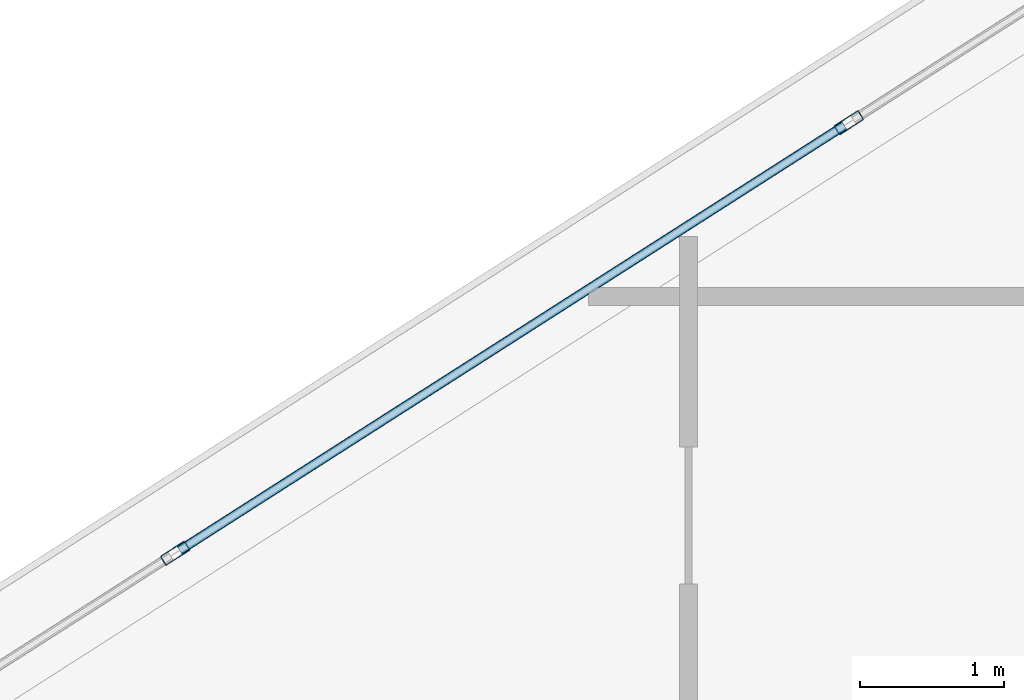
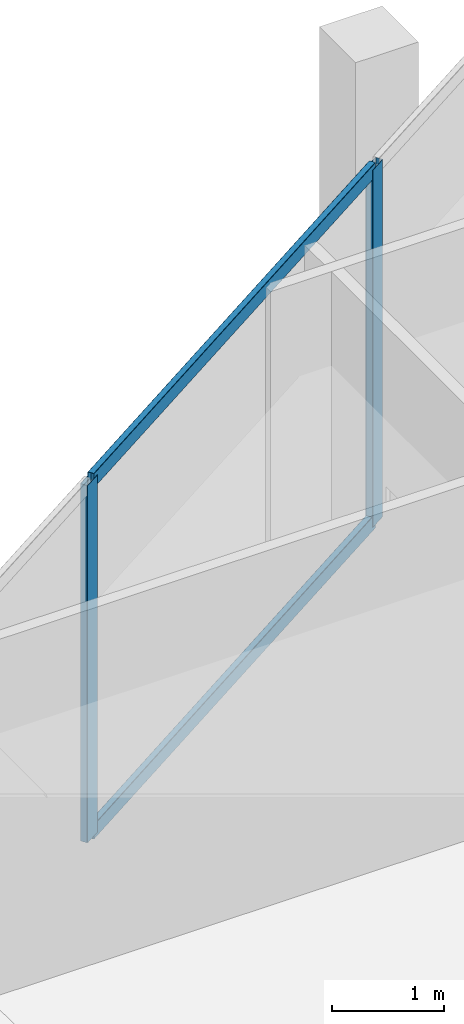
# One storey, part 12 of 29: 4 members, 1 element without a shape of its own.
"""IFC4 building model written with IfcOpenShell, lengths in metres."""

from ifc_helpers import new_model, si_unit, direction, frame, origin, origin_2d, place, context, subcontext, project, spatial, hollow_rectangle, extrude, material, layer, layer_set, material_profile, profile_set, type_object, element, aggregate, save


model = new_model("IFC4")

# Units and contexts
model_context = context("Model", 3, precision=1e-05, world=origin(), true_north=direction((0.0, 1.0)))
body_context = subcontext(model_context, "Body", "Model", "MODEL_VIEW")
ifc_project = project(units=[si_unit("LENGTHUNIT", "METRE"), si_unit("AREAUNIT", "SQUARE_METRE"), si_unit("VOLUMEUNIT", "CUBIC_METRE"), si_unit("PLANEANGLEUNIT", "RADIAN"), si_unit("MASSUNIT", "GRAM", prefix="KILO")], contexts=[model_context])

# Site, building, storey
site_placement = place(None, origin())
site = spatial("IfcSite", under=ifc_project, at=site_placement, CompositionType="ELEMENT")
building_placement = place(site_placement, origin())
building = spatial("IfcBuilding", under=site, at=building_placement, Name="Qorvath Tower", CompositionType="ELEMENT")
storey_placement = place(building_placement, frame((0.0, 0.0, 285.0)))
storey = spatial("IfcBuildingStorey", under=building, at=storey_placement, Name="L66", CompositionType="ELEMENT", Elevation=285.0)

# Curtain wall, members
ifc_material_1 = material(Name="Anodised aluminium and triple low-E glass", Category="aluminium")
ifc_layer = layer(ifc_material_1, 0.179931640625)
ifc_layer_set = layer_set([ifc_layer], Name="CW-SYS-4")
curtain_wall_type = type_object("IfcCurtainWallType", Name="CW-SYS-4", PredefinedType="NOTDEFINED", material=ifc_layer_set)
curtain_wall_placement = place(storey_placement, origin())
curtain_wall = element("IfcCurtainWall", 1, at=curtain_wall_placement, inside=storey, type_object=curtain_wall_type, Name="Curtain Wall CW-4 CW-T-L66-16.1", PredefinedType="NOTDEFINED")
ifc_material_2 = material(Name="Anodised aluminium 6063-T6", Category="aluminium")
ifc_material_profile_1 = material_profile(ifc_material_2, hollow_rectangle(XDim=0.074951171875, YDim=0.199951171875, WallThickness=0.00390625, InnerFilletRadius=0.00390625, OuterFilletRadius=0.008056640625, at=origin_2d()), Name="CWM 200x75")
ifc_profile_set_1 = profile_set([ifc_material_profile_1], Name="Anodised aluminium 6063-T6")
member_type_1 = type_object("IfcMemberType", Name="CWM-200", PredefinedType="MULLION", material=ifc_profile_set_1)
member_1_placement = place(storey_placement, frame((-36.743408203125, 11.96435546875, 0.0), z_axis=(0.0, 0.0, 1.0), x_axis=(0.538532094557, -0.842604998283, 0.0)))
member_1 = element("IfcMember", 2, at=member_1_placement, type_object=member_type_1, Name="CW-4 mullion 5", PredefinedType="MULLION", context=body_context, shape_type="SweptSolid", body=[
    extrude(hollow_rectangle(XDim=0.074951171875, YDim=0.199951171875, WallThickness=0.00390625, InnerFilletRadius=0.00390625, OuterFilletRadius=0.008056640625, at=origin_2d()), origin(), (0.0, 0.0, 1.0), 3.909912109375),
])
member_2_placement = place(storey_placement, frame((-41.42333984375, 8.973388671875, 0.0), z_axis=(0.0, 0.0, 1.0), x_axis=(0.538532094557, -0.842604998283, 0.0)))
member_2 = element("IfcMember", 3, at=member_2_placement, type_object=member_type_1, Name="CW-4 mullion 6", PredefinedType="MULLION", context=body_context, shape_type="SweptSolid", body=[
    extrude(hollow_rectangle(XDim=0.074951171875, YDim=0.199951171875, WallThickness=0.00390625, InnerFilletRadius=0.00390625, OuterFilletRadius=0.008056640625, at=origin_2d()), origin(), (0.0, 0.0, 1.0), 3.909912109375),
])
ifc_material_3 = material(Name="Anodised aluminium 6063-T6", Category="aluminium")
ifc_material_profile_2 = material_profile(ifc_material_3, hollow_rectangle(XDim=0.06494140625, YDim=0.159912109375, WallThickness=0.00341796875, InnerFilletRadius=0.00341796875, OuterFilletRadius=0.007080078125, at=origin_2d()), Name="CWT 160x65")
ifc_profile_set_2 = profile_set([ifc_material_profile_2], Name="Anodised aluminium 6063-T6")
member_type_2 = type_object("IfcMemberType", Name="CWT-160", PredefinedType="USERDEFINED", material=ifc_profile_set_2)
member_3_placement = place(storey_placement, frame((-36.77490234375, 11.9443359375, 0.032470703125), z_axis=(-0.842615950321, -0.538514958256, 0.0), x_axis=(0.538514958256, -0.842615950321, 0.0)))
member_3 = element("IfcMember", 4, at=member_3_placement, type_object=member_type_2, Name="CW-4 transom 5.1", ObjectType="TRANSOM", PredefinedType="USERDEFINED", context=body_context, shape_type="SweptSolid", body=[
    extrude(hollow_rectangle(XDim=0.06494140625, YDim=0.159912109375, WallThickness=0.00341796875, InnerFilletRadius=0.00341796875, OuterFilletRadius=0.007080078125, at=origin_2d()), origin(), (0.0, 0.0, 1.0), 5.479248046875),
])
member_4_placement = place(storey_placement, frame((-36.77490234375, 11.9443359375, 3.87744140625), z_axis=(-0.842615950321, -0.538514958256, 0.0), x_axis=(0.538514958256, -0.842615950321, 0.0)))
member_4 = element("IfcMember", 5, at=member_4_placement, type_object=member_type_2, Name="CW-4 transom 5.2", ObjectType="TRANSOM", PredefinedType="USERDEFINED", context=body_context, shape_type="SweptSolid", body=[
    extrude(hollow_rectangle(XDim=0.06494140625, YDim=0.159912109375, WallThickness=0.00341796875, InnerFilletRadius=0.00341796875, OuterFilletRadius=0.007080078125, at=origin_2d()), origin(), (0.0, 0.0, 1.0), 5.479248046875),
])
aggregate(curtain_wall, [member_1, member_2, member_3, member_4])

save(model, "model.ifc")
